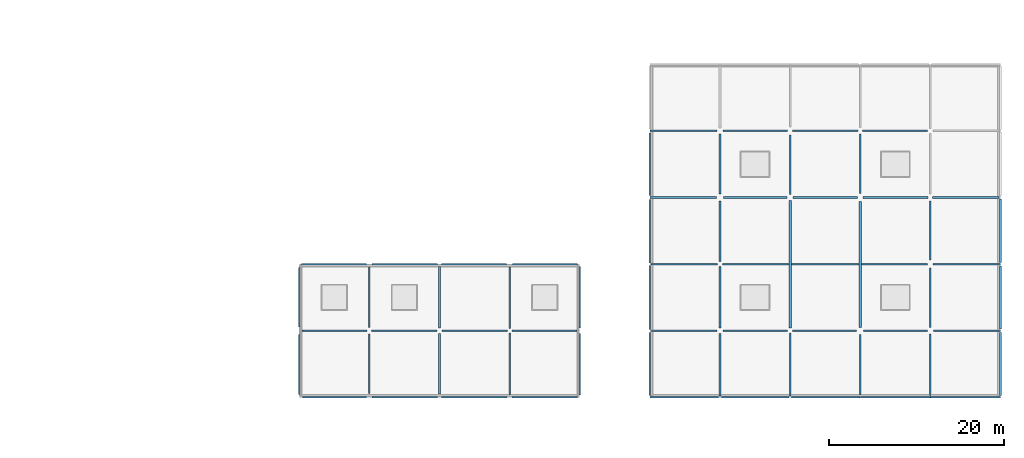
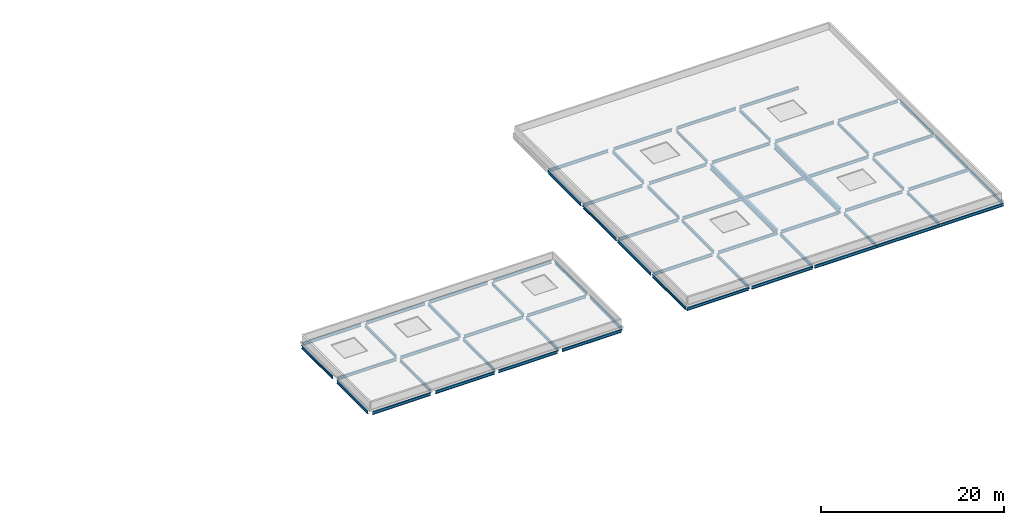
# One storey, part 13 of 46: 66 beams.
"""IFC4 building model written with IfcOpenShell, lengths in metres."""

from ifc_helpers import new_model, si_unit, direction, frame, origin, origin_2d, place, context, subcontext, project, spatial, i_section, extrude, material, material_profile, profile_set, type_object, element, save


model = new_model("IFC4")

# Units and contexts
model_context = context("Model", 3, precision=1e-05, world=origin(), true_north=direction((0.0, 1.0)))
body_context = subcontext(model_context, "Body", "Model", "MODEL_VIEW")
ifc_project = project(units=[si_unit("LENGTHUNIT", "METRE"), si_unit("AREAUNIT", "SQUARE_METRE"), si_unit("VOLUMEUNIT", "CUBIC_METRE"), si_unit("PLANEANGLEUNIT", "RADIAN"), si_unit("MASSUNIT", "GRAM", prefix="KILO")], contexts=[model_context])

# Site, building, storey
site_placement = place(None, origin())
site = spatial("IfcSite", under=ifc_project, at=site_placement, CompositionType="ELEMENT")
building_placement = place(site_placement, origin())
building = spatial("IfcBuilding", under=site, at=building_placement, Name="Khelvaren Railside Concert Hall", CompositionType="ELEMENT")
storey_placement = place(building_placement, frame((0.0, 0.0, 19.800048828125)))
storey = spatial("IfcBuildingStorey", under=building, at=storey_placement, Name="L04", CompositionType="ELEMENT", Elevation=19.800048828125)

# Beams
ifc_material = material(Name="Steel S355", Category="steel")
ifc_material_profile_1 = material_profile(ifc_material, i_section(OverallWidth=0.179931640625, OverallDepth=0.39990234375, WebThickness=0.008544921875, FlangeThickness=0.013427734375, FilletRadius=0.02099609375, at=origin_2d()), Name="IPE 400")
ifc_profile_set_1 = profile_set([ifc_material_profile_1], Name="Steel S355")
beam_type_1 = type_object("IfcBeamType", Name="BM29", PredefinedType="BEAM", material=ifc_profile_set_1)
beam_1_placement = place(storey_placement, frame((144.010009765625, 0.0, -0.469970703125), z_axis=(1.0, 0.0, 0.0), x_axis=(0.0, 1.0, 0.0)))
element("IfcBeam", 1, at=beam_1_placement, inside=storey, type_object=beam_type_1, Name="V2 Roof Beam X (144-152)", PredefinedType="BEAM", context=body_context, shape_type="SweptSolid", body=[
    extrude(i_section(OverallWidth=0.179931640625, OverallDepth=0.39990234375, WebThickness=0.008544921875, FlangeThickness=0.013427734375, FilletRadius=0.02099609375, at=origin_2d()), origin(), (0.0, 0.0, 1.0), 7.8193359375),
])
beam_2_placement = place(storey_placement, frame((152.170654296875, 0.0, -0.469970703125), z_axis=(1.0, 0.0, 0.0), x_axis=(0.0, 1.0, 0.0)))
element("IfcBeam", 2, at=beam_2_placement, inside=storey, type_object=beam_type_1, Name="V2 Roof Beam X (152-160)", PredefinedType="BEAM", context=body_context, shape_type="SweptSolid", body=[
    extrude(i_section(OverallWidth=0.179931640625, OverallDepth=0.39990234375, WebThickness=0.008544921875, FlangeThickness=0.013427734375, FilletRadius=0.02099609375, at=origin_2d()), origin(), (0.0, 0.0, 1.0), 7.693359375),
])
beam_3_placement = place(storey_placement, frame((160.135986328125, 0.0, -0.469970703125), z_axis=(1.0, 0.0, 0.0), x_axis=(0.0, 1.0, 0.0)))
element("IfcBeam", 3, at=beam_3_placement, inside=storey, type_object=beam_type_1, Name="V2 Roof Beam X (160-168)", PredefinedType="BEAM", context=body_context, shape_type="SweptSolid", body=[
    extrude(i_section(OverallWidth=0.179931640625, OverallDepth=0.39990234375, WebThickness=0.008544921875, FlangeThickness=0.013427734375, FilletRadius=0.02099609375, at=origin_2d()), origin(), (0.0, 0.0, 1.0), 7.85400390625),
])
for number, where, z_axis, x_axis, name in (
    (4, (168.010009765625, 0.0, -0.469970703125), (1.0, 0.0, 0.0), (0.0, 1.0, 0.0), "V2 Roof Beam X (168-176)"),
    (5, (176.010009765625, 0.0, -0.469970703125), (1.0, 0.0, 0.0), (0.0, 1.0, 0.0), "V2 Roof Beam X (176-184)"),
):
    element("IfcBeam", number, at=place(storey_placement, frame(where, z_axis=z_axis, x_axis=x_axis)), inside=storey, type_object=beam_type_1, Name=name, PredefinedType="BEAM", context=body_context, shape_type="SweptSolid", body=[
        extrude(i_section(OverallWidth=0.179931640625, OverallDepth=0.39990234375, WebThickness=0.008544921875, FlangeThickness=0.013427734375, FilletRadius=0.02099609375, at=origin_2d()), origin(), (0.0, 0.0, 1.0), 7.97998046875),
    ])
beam_4_placement = place(storey_placement, frame((144.170654296875, 7.60009765625, -0.469970703125), z_axis=(1.0, 0.0, 0.0), x_axis=(0.0, 1.0, 0.0)))
element("IfcBeam", 6, at=beam_4_placement, inside=storey, type_object=beam_type_1, Name="V2 Roof Beam X (144-152)", PredefinedType="BEAM", context=body_context, shape_type="SweptSolid", body=[
    extrude(i_section(OverallWidth=0.179931640625, OverallDepth=0.39990234375, WebThickness=0.008544921875, FlangeThickness=0.013427734375, FilletRadius=0.02099609375, at=origin_2d()), origin(), (0.0, 0.0, 1.0), 7.493408203125),
])
beam_5_placement = place(storey_placement, frame((152.3359375, 7.60009765625, -0.469970703125), z_axis=(1.0, 0.0, 0.0), x_axis=(0.0, 1.0, 0.0)))
element("IfcBeam", 7, at=beam_5_placement, inside=storey, type_object=beam_type_1, Name="V2 Roof Beam X (152-160)", PredefinedType="BEAM", context=body_context, shape_type="SweptSolid", body=[
    extrude(i_section(OverallWidth=0.179931640625, OverallDepth=0.39990234375, WebThickness=0.008544921875, FlangeThickness=0.013427734375, FilletRadius=0.02099609375, at=origin_2d()), origin(), (0.0, 0.0, 1.0), 7.39111328125),
])
beam_6_placement = place(storey_placement, frame((160.27294921875, 7.60009765625, -0.469970703125), z_axis=(1.0, 0.0, 0.0), x_axis=(0.0, 1.0, 0.0)))
element("IfcBeam", 8, at=beam_6_placement, inside=storey, type_object=beam_type_1, Name="V2 Roof Beam X (160-168)", PredefinedType="BEAM", context=body_context, shape_type="SweptSolid", body=[
    extrude(i_section(OverallWidth=0.179931640625, OverallDepth=0.39990234375, WebThickness=0.008544921875, FlangeThickness=0.013427734375, FilletRadius=0.02099609375, at=origin_2d()), origin(), (0.0, 0.0, 1.0), 7.3271484375),
])
beam_7_placement = place(storey_placement, frame((168.39990234375, 7.60009765625, -0.469970703125), z_axis=(1.0, 0.0, 0.0), x_axis=(0.0, 1.0, 0.0)))
element("IfcBeam", 9, at=beam_7_placement, inside=storey, type_object=beam_type_1, Name="V2 Roof Beam X (168-176)", PredefinedType="BEAM", context=body_context, shape_type="SweptSolid", body=[
    extrude(i_section(OverallWidth=0.179931640625, OverallDepth=0.39990234375, WebThickness=0.008544921875, FlangeThickness=0.013427734375, FilletRadius=0.02099609375, at=origin_2d()), origin(), (0.0, 0.0, 1.0), 7.25),
])
beam_8_placement = place(storey_placement, frame((176.35009765625, 7.60009765625, -0.469970703125), z_axis=(1.0, 0.0, 0.0), x_axis=(0.0, 1.0, 0.0)))
element("IfcBeam", 10, at=beam_8_placement, inside=storey, type_object=beam_type_1, Name="V2 Roof Beam X (176-184)", PredefinedType="BEAM", context=body_context, shape_type="SweptSolid", body=[
    extrude(i_section(OverallWidth=0.179931640625, OverallDepth=0.39990234375, WebThickness=0.008544921875, FlangeThickness=0.013427734375, FilletRadius=0.02099609375, at=origin_2d()), origin(), (0.0, 0.0, 1.0), 7.639892578125),
])
beam_9_placement = place(storey_placement, frame((144.135986328125, 15.199951171875, -0.469970703125), z_axis=(1.0, 0.0, 0.0), x_axis=(0.0, 1.0, 0.0)))
element("IfcBeam", 11, at=beam_9_placement, inside=storey, type_object=beam_type_1, Name="V2 Roof Beam X (144-152)", PredefinedType="BEAM", context=body_context, shape_type="SweptSolid", body=[
    extrude(i_section(OverallWidth=0.179931640625, OverallDepth=0.39990234375, WebThickness=0.008544921875, FlangeThickness=0.013427734375, FilletRadius=0.02099609375, at=origin_2d()), origin(), (0.0, 0.0, 1.0), 7.591064453125),
])
beam_10_placement = place(storey_placement, frame((152.27294921875, 15.199951171875, -0.469970703125), z_axis=(1.0, 0.0, 0.0), x_axis=(0.0, 1.0, 0.0)))
element("IfcBeam", 12, at=beam_10_placement, inside=storey, type_object=beam_type_1, Name="V2 Roof Beam X (152-160)", PredefinedType="BEAM", context=body_context, shape_type="SweptSolid", body=[
    extrude(i_section(OverallWidth=0.179931640625, OverallDepth=0.39990234375, WebThickness=0.008544921875, FlangeThickness=0.013427734375, FilletRadius=0.02099609375, at=origin_2d()), origin(), (0.0, 0.0, 1.0), 7.5771484375),
])
beam_11_placement = place(storey_placement, frame((160.14990234375, 15.199951171875, -0.469970703125), z_axis=(1.0, 0.0, 0.0), x_axis=(0.0, 1.0, 0.0)))
element("IfcBeam", 13, at=beam_11_placement, inside=storey, type_object=beam_type_1, Name="V2 Roof Beam X (160-168)", PredefinedType="BEAM", context=body_context, shape_type="SweptSolid", body=[
    extrude(i_section(OverallWidth=0.179931640625, OverallDepth=0.39990234375, WebThickness=0.008544921875, FlangeThickness=0.013427734375, FilletRadius=0.02099609375, at=origin_2d()), origin(), (0.0, 0.0, 1.0), 7.7001953125),
])
beam_12_placement = place(storey_placement, frame((168.14990234375, 15.199951171875, -0.469970703125), z_axis=(1.0, 0.0, 0.0), x_axis=(0.0, 1.0, 0.0)))
element("IfcBeam", 14, at=beam_12_placement, inside=storey, type_object=beam_type_1, Name="V2 Roof Beam X (168-176)", PredefinedType="BEAM", context=body_context, shape_type="SweptSolid", body=[
    extrude(i_section(OverallWidth=0.179931640625, OverallDepth=0.39990234375, WebThickness=0.008544921875, FlangeThickness=0.013427734375, FilletRadius=0.02099609375, at=origin_2d()), origin(), (0.0, 0.0, 1.0), 7.550048828125),
])
beam_13_placement = place(storey_placement, frame((176.300048828125, 15.199951171875, -0.469970703125), z_axis=(1.0, 0.0, 0.0), x_axis=(0.0, 1.0, 0.0)))
element("IfcBeam", 15, at=beam_13_placement, inside=storey, type_object=beam_type_1, Name="V2 Roof Beam X (176-184)", PredefinedType="BEAM", context=body_context, shape_type="SweptSolid", body=[
    extrude(i_section(OverallWidth=0.179931640625, OverallDepth=0.39990234375, WebThickness=0.008544921875, FlangeThickness=0.013427734375, FilletRadius=0.02099609375, at=origin_2d()), origin(), (0.0, 0.0, 1.0), 7.68994140625),
])
beam_14_placement = place(storey_placement, frame((144.010009765625, 22.800048828125, -0.469970703125), z_axis=(1.0, 0.0, 0.0), x_axis=(0.0, 1.0, 0.0)))
element("IfcBeam", 16, at=beam_14_placement, inside=storey, type_object=beam_type_1, Name="V2 Roof Beam X (144-152)", PredefinedType="BEAM", context=body_context, shape_type="SweptSolid", body=[
    extrude(i_section(OverallWidth=0.179931640625, OverallDepth=0.39990234375, WebThickness=0.008544921875, FlangeThickness=0.013427734375, FilletRadius=0.02099609375, at=origin_2d()), origin(), (0.0, 0.0, 1.0), 7.590087890625),
])
beam_15_placement = place(storey_placement, frame((152.39990234375, 22.800048828125, -0.469970703125), z_axis=(1.0, 0.0, 0.0), x_axis=(0.0, 1.0, 0.0)))
element("IfcBeam", 17, at=beam_15_placement, inside=storey, type_object=beam_type_1, Name="V2 Roof Beam X (152-160)", PredefinedType="BEAM", context=body_context, shape_type="SweptSolid", body=[
    extrude(i_section(OverallWidth=0.179931640625, OverallDepth=0.39990234375, WebThickness=0.008544921875, FlangeThickness=0.013427734375, FilletRadius=0.02099609375, at=origin_2d()), origin(), (0.0, 0.0, 1.0), 7.25),
])
beam_16_placement = place(storey_placement, frame((160.35009765625, 22.800048828125, -0.469970703125), z_axis=(1.0, 0.0, 0.0), x_axis=(0.0, 1.0, 0.0)))
element("IfcBeam", 18, at=beam_16_placement, inside=storey, type_object=beam_type_1, Name="V2 Roof Beam X (160-168)", PredefinedType="BEAM", context=body_context, shape_type="SweptSolid", body=[
    extrude(i_section(OverallWidth=0.179931640625, OverallDepth=0.39990234375, WebThickness=0.008544921875, FlangeThickness=0.013427734375, FilletRadius=0.02099609375, at=origin_2d()), origin(), (0.0, 0.0, 1.0), 7.349853515625),
])
beam_17_placement = place(storey_placement, frame((168.300048828125, 22.800048828125, -0.469970703125), z_axis=(1.0, 0.0, 0.0), x_axis=(0.0, 1.0, 0.0)))
element("IfcBeam", 19, at=beam_17_placement, inside=storey, type_object=beam_type_1, Name="V2 Roof Beam X (168-176)", PredefinedType="BEAM", context=body_context, shape_type="SweptSolid", body=[
    extrude(i_section(OverallWidth=0.179931640625, OverallDepth=0.39990234375, WebThickness=0.008544921875, FlangeThickness=0.013427734375, FilletRadius=0.02099609375, at=origin_2d()), origin(), (0.0, 0.0, 1.0), 7.449951171875),
])
beam_18_placement = place(storey_placement, frame((176.25, 22.800048828125, -0.469970703125), z_axis=(1.0, 0.0, 0.0), x_axis=(0.0, 1.0, 0.0)))
element("IfcBeam", 20, at=beam_18_placement, inside=storey, type_object=beam_type_1, Name="V2 Roof Beam X (176-184)", PredefinedType="BEAM", context=body_context, shape_type="SweptSolid", body=[
    extrude(i_section(OverallWidth=0.179931640625, OverallDepth=0.39990234375, WebThickness=0.008544921875, FlangeThickness=0.013427734375, FilletRadius=0.02099609375, at=origin_2d()), origin(), (0.0, 0.0, 1.0), 7.579345703125),
])
beam_19_placement = place(storey_placement, frame((144.010009765625, 30.39990234375, -0.469970703125), z_axis=(1.0, 0.0, 0.0), x_axis=(0.0, 1.0, 0.0)))
element("IfcBeam", 21, at=beam_19_placement, inside=storey, type_object=beam_type_1, Name="V2 Roof Beam X (144-152)", PredefinedType="BEAM", context=body_context, shape_type="SweptSolid", body=[
    extrude(i_section(OverallWidth=0.179931640625, OverallDepth=0.39990234375, WebThickness=0.008544921875, FlangeThickness=0.013427734375, FilletRadius=0.02099609375, at=origin_2d()), origin(), (0.0, 0.0, 1.0), 7.639892578125),
])
beam_20_placement = place(storey_placement, frame((152.35009765625, 30.39990234375, -0.469970703125), z_axis=(1.0, 0.0, 0.0), x_axis=(0.0, 1.0, 0.0)))
element("IfcBeam", 22, at=beam_20_placement, inside=storey, type_object=beam_type_1, Name="V2 Roof Beam X (152-160)", PredefinedType="BEAM", context=body_context, shape_type="SweptSolid", body=[
    extrude(i_section(OverallWidth=0.179931640625, OverallDepth=0.39990234375, WebThickness=0.008544921875, FlangeThickness=0.013427734375, FilletRadius=0.02099609375, at=origin_2d()), origin(), (0.0, 0.0, 1.0), 7.349853515625),
])
for number, where, z_axis, x_axis, name in (
    (23, (160.300048828125, 30.39990234375, -0.469970703125), (1.0, 0.0, 0.0), (0.0, 1.0, 0.0), "V2 Roof Beam X (160-168)"),
    (24, (168.25, 30.39990234375, -0.469970703125), (1.0, 0.0, 0.0), (0.0, 1.0, 0.0), "V2 Roof Beam X (168-176)"),
):
    element("IfcBeam", number, at=place(storey_placement, frame(where, z_axis=z_axis, x_axis=x_axis)), inside=storey, type_object=beam_type_1, Name=name, PredefinedType="BEAM", context=body_context, shape_type="SweptSolid", body=[
        extrude(i_section(OverallWidth=0.179931640625, OverallDepth=0.39990234375, WebThickness=0.008544921875, FlangeThickness=0.013427734375, FilletRadius=0.02099609375, at=origin_2d()), origin(), (0.0, 0.0, 1.0), 7.449951171875),
    ])
beam_21_placement = place(storey_placement, frame((144.0, 0.195068359375, -0.469970703125), z_axis=(0.0, 1.0, 0.0), x_axis=(-1.0, 0.0, 0.0)))
element("IfcBeam", 25, at=beam_21_placement, inside=storey, type_object=beam_type_1, Name="V2 Roof Beam Y (0.0-7.6)", PredefinedType="BEAM", context=body_context, shape_type="SweptSolid", body=[
    extrude(i_section(OverallWidth=0.179931640625, OverallDepth=0.39990234375, WebThickness=0.008544921875, FlangeThickness=0.013427734375, FilletRadius=0.02099609375, at=origin_2d()), origin(), (0.0, 0.0, 1.0), 7.234130859375),
])
beam_22_placement = place(storey_placement, frame((144.0, 7.770751953125, -0.469970703125), z_axis=(0.0, 1.0, 0.0), x_axis=(-1.0, 0.0, 0.0)))
element("IfcBeam", 26, at=beam_22_placement, inside=storey, type_object=beam_type_1, Name="V2 Roof Beam Y (7.6-15.2)", PredefinedType="BEAM", context=body_context, shape_type="SweptSolid", body=[
    extrude(i_section(OverallWidth=0.179931640625, OverallDepth=0.39990234375, WebThickness=0.008544921875, FlangeThickness=0.013427734375, FilletRadius=0.02099609375, at=origin_2d()), origin(), (0.0, 0.0, 1.0), 7.293212890625),
])
beam_23_placement = place(storey_placement, frame((144.0, 15.3359375, -0.469970703125), z_axis=(0.0, 1.0, 0.0), x_axis=(-1.0, 0.0, 0.0)))
element("IfcBeam", 27, at=beam_23_placement, inside=storey, type_object=beam_type_1, Name="V2 Roof Beam Y (15.2-22.8)", PredefinedType="BEAM", context=body_context, shape_type="SweptSolid", body=[
    extrude(i_section(OverallWidth=0.179931640625, OverallDepth=0.39990234375, WebThickness=0.008544921875, FlangeThickness=0.013427734375, FilletRadius=0.02099609375, at=origin_2d()), origin(), (0.0, 0.0, 1.0), 7.214111328125),
])
beam_24_placement = place(storey_placement, frame((144.0, 23.050048828125, -0.469970703125), z_axis=(0.0, 1.0, 0.0), x_axis=(-1.0, 0.0, 0.0)))
element("IfcBeam", 28, at=beam_24_placement, inside=storey, type_object=beam_type_1, Name="V2 Roof Beam Y (22.8-30.4)", PredefinedType="BEAM", context=body_context, shape_type="SweptSolid", body=[
    extrude(i_section(OverallWidth=0.179931640625, OverallDepth=0.39990234375, WebThickness=0.008544921875, FlangeThickness=0.013427734375, FilletRadius=0.02099609375, at=origin_2d()), origin(), (0.0, 0.0, 1.0), 7.125),
])
beam_25_placement = place(storey_placement, frame((152.0, 0.170654296875, -0.469970703125), z_axis=(0.0, 1.0, 0.0), x_axis=(-1.0, 0.0, 0.0)))
element("IfcBeam", 29, at=beam_25_placement, inside=storey, type_object=beam_type_1, Name="V2 Roof Beam Y (0.0-7.6)", PredefinedType="BEAM", context=body_context, shape_type="SweptSolid", body=[
    extrude(i_section(OverallWidth=0.179931640625, OverallDepth=0.39990234375, WebThickness=0.008544921875, FlangeThickness=0.013427734375, FilletRadius=0.02099609375, at=origin_2d()), origin(), (0.0, 0.0, 1.0), 7.09326171875),
])
beam_26_placement = place(storey_placement, frame((152.0, 7.93603515625, -0.469970703125), z_axis=(0.0, 1.0, 0.0), x_axis=(-1.0, 0.0, 0.0)))
element("IfcBeam", 30, at=beam_26_placement, inside=storey, type_object=beam_type_1, Name="V2 Roof Beam Y (7.6-15.2)", PredefinedType="BEAM", context=body_context, shape_type="SweptSolid", body=[
    extrude(i_section(OverallWidth=0.179931640625, OverallDepth=0.39990234375, WebThickness=0.008544921875, FlangeThickness=0.013427734375, FilletRadius=0.02099609375, at=origin_2d()), origin(), (0.0, 0.0, 1.0), 6.990966796875),
])
beam_27_placement = place(storey_placement, frame((152.0, 15.472900390625, -0.469970703125), z_axis=(0.0, 1.0, 0.0), x_axis=(-1.0, 0.0, 0.0)))
element("IfcBeam", 31, at=beam_27_placement, inside=storey, type_object=beam_type_1, Name="V2 Roof Beam Y (15.2-22.8)", PredefinedType="BEAM", context=body_context, shape_type="SweptSolid", body=[
    extrude(i_section(OverallWidth=0.179931640625, OverallDepth=0.39990234375, WebThickness=0.008544921875, FlangeThickness=0.013427734375, FilletRadius=0.02099609375, at=origin_2d()), origin(), (0.0, 0.0, 1.0), 6.927001953125),
])
beam_28_placement = place(storey_placement, frame((152.0, 23.199951171875, -0.469970703125), z_axis=(0.0, 1.0, 0.0), x_axis=(-1.0, 0.0, 0.0)))
element("IfcBeam", 32, at=beam_28_placement, inside=storey, type_object=beam_type_1, Name="V2 Roof Beam Y (22.8-30.4)", PredefinedType="BEAM", context=body_context, shape_type="SweptSolid", body=[
    extrude(i_section(OverallWidth=0.179931640625, OverallDepth=0.39990234375, WebThickness=0.008544921875, FlangeThickness=0.013427734375, FilletRadius=0.02099609375, at=origin_2d()), origin(), (0.0, 0.0, 1.0), 6.85009765625),
])
beam_29_placement = place(storey_placement, frame((160.0, 0.135986328125, -0.469970703125), z_axis=(0.0, 1.0, 0.0), x_axis=(-1.0, 0.0, 0.0)))
element("IfcBeam", 33, at=beam_29_placement, inside=storey, type_object=beam_type_1, Name="V2 Roof Beam Y (0.0-7.6)", PredefinedType="BEAM", context=body_context, shape_type="SweptSolid", body=[
    extrude(i_section(OverallWidth=0.179931640625, OverallDepth=0.39990234375, WebThickness=0.008544921875, FlangeThickness=0.013427734375, FilletRadius=0.02099609375, at=origin_2d()), origin(), (0.0, 0.0, 1.0), 7.19091796875),
])
beam_30_placement = place(storey_placement, frame((160.0, 23.14990234375, -0.469970703125), z_axis=(0.0, 1.0, 0.0), x_axis=(-1.0, 0.0, 0.0)))
element("IfcBeam", 34, at=beam_30_placement, inside=storey, type_object=beam_type_1, Name="V2 Roof Beam Y (22.8-30.4)", PredefinedType="BEAM", context=body_context, shape_type="SweptSolid", body=[
    extrude(i_section(OverallWidth=0.179931640625, OverallDepth=0.39990234375, WebThickness=0.008544921875, FlangeThickness=0.013427734375, FilletRadius=0.02099609375, at=origin_2d()), origin(), (0.0, 0.0, 1.0), 6.800048828125),
])
beam_31_placement = place(storey_placement, frame((168.0, 0.25, -0.469970703125), z_axis=(0.0, 1.0, 0.0), x_axis=(-1.0, 0.0, 0.0)))
element("IfcBeam", 35, at=beam_31_placement, inside=storey, type_object=beam_type_1, Name="V2 Roof Beam Y (0.0-7.6)", PredefinedType="BEAM", context=body_context, shape_type="SweptSolid", body=[
    extrude(i_section(OverallWidth=0.179931640625, OverallDepth=0.39990234375, WebThickness=0.008544921875, FlangeThickness=0.013427734375, FilletRadius=0.02099609375, at=origin_2d()), origin(), (0.0, 0.0, 1.0), 6.949951171875),
])
beam_32_placement = place(storey_placement, frame((168.0, 23.25, -0.469970703125), z_axis=(0.0, 1.0, 0.0), x_axis=(-1.0, 0.0, 0.0)))
element("IfcBeam", 36, at=beam_32_placement, inside=storey, type_object=beam_type_1, Name="V2 Roof Beam Y (22.8-30.4)", PredefinedType="BEAM", context=body_context, shape_type="SweptSolid", body=[
    extrude(i_section(OverallWidth=0.179931640625, OverallDepth=0.39990234375, WebThickness=0.008544921875, FlangeThickness=0.013427734375, FilletRadius=0.02099609375, at=origin_2d()), origin(), (0.0, 0.0, 1.0), 6.77490234375),
])
beam_33_placement = place(storey_placement, frame((176.0, 0.22509765625, -0.469970703125), z_axis=(0.0, 1.0, 0.0), x_axis=(-1.0, 0.0, 0.0)))
element("IfcBeam", 37, at=beam_33_placement, inside=storey, type_object=beam_type_1, Name="V2 Roof Beam Y (0.0-7.6)", PredefinedType="BEAM", context=body_context, shape_type="SweptSolid", body=[
    extrude(i_section(OverallWidth=0.179931640625, OverallDepth=0.39990234375, WebThickness=0.008544921875, FlangeThickness=0.013427734375, FilletRadius=0.02099609375, at=origin_2d()), origin(), (0.0, 0.0, 1.0), 7.02490234375),
])
beam_34_placement = place(storey_placement, frame((176.0, 7.949951171875, -0.469970703125), z_axis=(0.0, 1.0, 0.0), x_axis=(-1.0, 0.0, 0.0)))
element("IfcBeam", 38, at=beam_34_placement, inside=storey, type_object=beam_type_1, Name="V2 Roof Beam Y (7.6-15.2)", PredefinedType="BEAM", context=body_context, shape_type="SweptSolid", body=[
    extrude(i_section(OverallWidth=0.179931640625, OverallDepth=0.39990234375, WebThickness=0.008544921875, FlangeThickness=0.013427734375, FilletRadius=0.02099609375, at=origin_2d()), origin(), (0.0, 0.0, 1.0), 6.800048828125),
])
beam_35_placement = place(storey_placement, frame((176.0, 15.64990234375, -0.469970703125), z_axis=(0.0, 1.0, 0.0), x_axis=(-1.0, 0.0, 0.0)))
element("IfcBeam", 39, at=beam_35_placement, inside=storey, type_object=beam_type_1, Name="V2 Roof Beam Y (15.2-22.8)", PredefinedType="BEAM", context=body_context, shape_type="SweptSolid", body=[
    extrude(i_section(OverallWidth=0.179931640625, OverallDepth=0.39990234375, WebThickness=0.008544921875, FlangeThickness=0.013427734375, FilletRadius=0.02099609375, at=origin_2d()), origin(), (0.0, 0.0, 1.0), 6.775146484375),
])
beam_36_placement = place(storey_placement, frame((184.0, 0.199951171875, -0.469970703125), z_axis=(0.0, 1.0, 0.0), x_axis=(-1.0, 0.0, 0.0)))
element("IfcBeam", 40, at=beam_36_placement, inside=storey, type_object=beam_type_1, Name="V2 Roof Beam Y (0.0-7.6)", PredefinedType="BEAM", context=body_context, shape_type="SweptSolid", body=[
    extrude(i_section(OverallWidth=0.179931640625, OverallDepth=0.39990234375, WebThickness=0.008544921875, FlangeThickness=0.013427734375, FilletRadius=0.02099609375, at=origin_2d()), origin(), (0.0, 0.0, 1.0), 7.219970703125),
])
beam_37_placement = place(storey_placement, frame((184.0, 7.780029296875, -0.469970703125), z_axis=(0.0, 1.0, 0.0), x_axis=(-1.0, 0.0, 0.0)))
element("IfcBeam", 41, at=beam_37_placement, inside=storey, type_object=beam_type_1, Name="V2 Roof Beam Y (7.6-15.2)", PredefinedType="BEAM", context=body_context, shape_type="SweptSolid", body=[
    extrude(i_section(OverallWidth=0.179931640625, OverallDepth=0.39990234375, WebThickness=0.008544921875, FlangeThickness=0.013427734375, FilletRadius=0.02099609375, at=origin_2d()), origin(), (0.0, 0.0, 1.0), 7.224853515625),
])
beam_38_placement = place(storey_placement, frame((184.0, 15.39501953125, -0.469970703125), z_axis=(0.0, 1.0, 0.0), x_axis=(-1.0, 0.0, 0.0)))
element("IfcBeam", 42, at=beam_38_placement, inside=storey, type_object=beam_type_1, Name="V2 Roof Beam Y (15.2-22.8)", PredefinedType="BEAM", context=body_context, shape_type="SweptSolid", body=[
    extrude(i_section(OverallWidth=0.179931640625, OverallDepth=0.39990234375, WebThickness=0.008544921875, FlangeThickness=0.013427734375, FilletRadius=0.02099609375, at=origin_2d()), origin(), (0.0, 0.0, 1.0), 7.234375),
])
beam_39_placement = place(storey_placement, frame((104.35009765625, 0.0, -0.449951171875), z_axis=(1.0, 0.0, 0.0), x_axis=(0.0, 1.0, 0.0)))
element("IfcBeam", 43, at=beam_39_placement, inside=storey, type_object=beam_type_1, Name="V3-E Roof Beam X (104-112)", PredefinedType="BEAM", context=body_context, shape_type="SweptSolid", body=[
    extrude(i_section(OverallWidth=0.179931640625, OverallDepth=0.39990234375, WebThickness=0.008544921875, FlangeThickness=0.013427734375, FilletRadius=0.02099609375, at=origin_2d()), origin(), (0.0, 0.0, 1.0), 7.349853515625),
])
for number, where, z_axis, x_axis, name in (
    (44, (112.300048828125, 0.0, -0.449951171875), (1.0, 0.0, 0.0), (0.0, 1.0, 0.0), "V3-E Roof Beam X (112-120)"),
    (45, (120.25, 0.0, -0.449951171875), (1.0, 0.0, 0.0), (0.0, 1.0, 0.0), "V3-E Roof Beam X (120-128)"),
    (46, (128.300048828125, 0.0, -0.449951171875), (1.0, 0.0, 0.0), (0.0, 1.0, 0.0), "V3-E Roof Beam X (128-136)"),
    (47, (104.300048828125, 7.60009765625, -0.449951171875), (1.0, 0.0, 0.0), (0.0, 1.0, 0.0), "V3-E Roof Beam X (104-112)"),
    (48, (112.25, 7.60009765625, -0.449951171875), (1.0, 0.0, 0.0), (0.0, 1.0, 0.0), "V3-E Roof Beam X (112-120)"),
    (49, (120.300048828125, 7.60009765625, -0.449951171875), (1.0, 0.0, 0.0), (0.0, 1.0, 0.0), "V3-E Roof Beam X (120-128)"),
):
    element("IfcBeam", number, at=place(storey_placement, frame(where, z_axis=z_axis, x_axis=x_axis)), inside=storey, type_object=beam_type_1, Name=name, PredefinedType="BEAM", context=body_context, shape_type="SweptSolid", body=[
        extrude(i_section(OverallWidth=0.179931640625, OverallDepth=0.39990234375, WebThickness=0.008544921875, FlangeThickness=0.013427734375, FilletRadius=0.02099609375, at=origin_2d()), origin(), (0.0, 0.0, 1.0), 7.449951171875),
    ])
beam_40_placement = place(storey_placement, frame((128.25, 7.60009765625, -0.449951171875), z_axis=(1.0, 0.0, 0.0), x_axis=(0.0, 1.0, 0.0)))
element("IfcBeam", 50, at=beam_40_placement, inside=storey, type_object=beam_type_1, Name="V3-E Roof Beam X (128-136)", PredefinedType="BEAM", context=body_context, shape_type="SweptSolid", body=[
    extrude(i_section(OverallWidth=0.179931640625, OverallDepth=0.39990234375, WebThickness=0.008544921875, FlangeThickness=0.013427734375, FilletRadius=0.02099609375, at=origin_2d()), origin(), (0.0, 0.0, 1.0), 7.4140625),
])
for number, where, z_axis, x_axis, name in (
    (51, (104.25, 15.199951171875, -0.449951171875), (1.0, 0.0, 0.0), (0.0, 1.0, 0.0), "V3-E Roof Beam X (104-112)"),
    (52, (112.300048828125, 15.199951171875, -0.449951171875), (1.0, 0.0, 0.0), (0.0, 1.0, 0.0), "V3-E Roof Beam X (112-120)"),
):
    element("IfcBeam", number, at=place(storey_placement, frame(where, z_axis=z_axis, x_axis=x_axis)), inside=storey, type_object=beam_type_1, Name=name, PredefinedType="BEAM", context=body_context, shape_type="SweptSolid", body=[
        extrude(i_section(OverallWidth=0.179931640625, OverallDepth=0.39990234375, WebThickness=0.008544921875, FlangeThickness=0.013427734375, FilletRadius=0.02099609375, at=origin_2d()), origin(), (0.0, 0.0, 1.0), 7.449951171875),
    ])
beam_41_placement = place(storey_placement, frame((120.25, 15.199951171875, -0.449951171875), z_axis=(1.0, 0.0, 0.0), x_axis=(0.0, 1.0, 0.0)))
element("IfcBeam", 53, at=beam_41_placement, inside=storey, type_object=beam_type_1, Name="V3-E Roof Beam X (120-128)", PredefinedType="BEAM", context=body_context, shape_type="SweptSolid", body=[
    extrude(i_section(OverallWidth=0.179931640625, OverallDepth=0.39990234375, WebThickness=0.008544921875, FlangeThickness=0.013427734375, FilletRadius=0.02099609375, at=origin_2d()), origin(), (0.0, 0.0, 1.0), 7.4140625),
])
beam_42_placement = place(storey_placement, frame((128.3359375, 15.199951171875, -0.449951171875), z_axis=(1.0, 0.0, 0.0), x_axis=(0.0, 1.0, 0.0)))
element("IfcBeam", 54, at=beam_42_placement, inside=storey, type_object=beam_type_1, Name="V3-E Roof Beam X (128-136)", PredefinedType="BEAM", context=body_context, shape_type="SweptSolid", body=[
    extrude(i_section(OverallWidth=0.179931640625, OverallDepth=0.39990234375, WebThickness=0.008544921875, FlangeThickness=0.013427734375, FilletRadius=0.02099609375, at=origin_2d()), origin(), (0.0, 0.0, 1.0), 7.39111328125),
])
beam_43_placement = place(storey_placement, frame((104.0, 0.35009765625, -0.449951171875), z_axis=(0.0, 1.0, 0.0), x_axis=(-1.0, 0.0, 0.0)))
element("IfcBeam", 55, at=beam_43_placement, inside=storey, type_object=beam_type_1, Name="V3-E Roof Beam Y (0.0-7.6)", PredefinedType="BEAM", context=body_context, shape_type="SweptSolid", body=[
    extrude(i_section(OverallWidth=0.179931640625, OverallDepth=0.39990234375, WebThickness=0.008544921875, FlangeThickness=0.013427734375, FilletRadius=0.02099609375, at=origin_2d()), origin(), (0.0, 0.0, 1.0), 6.7998046875),
])
beam_44_placement = place(storey_placement, frame((104.0, 8.050048828125, -0.449951171875), z_axis=(0.0, 1.0, 0.0), x_axis=(-1.0, 0.0, 0.0)))
element("IfcBeam", 56, at=beam_44_placement, inside=storey, type_object=beam_type_1, Name="V3-E Roof Beam Y (7.6-15.2)", PredefinedType="BEAM", context=body_context, shape_type="SweptSolid", body=[
    extrude(i_section(OverallWidth=0.179931640625, OverallDepth=0.39990234375, WebThickness=0.008544921875, FlangeThickness=0.013427734375, FilletRadius=0.02099609375, at=origin_2d()), origin(), (0.0, 0.0, 1.0), 6.77490234375),
])
beam_45_placement = place(storey_placement, frame((112.0, 0.449951171875, -0.449951171875), z_axis=(0.0, 1.0, 0.0), x_axis=(-1.0, 0.0, 0.0)))
element("IfcBeam", 57, at=beam_45_placement, inside=storey, type_object=beam_type_1, Name="V3-E Roof Beam Y (0.0-7.6)", PredefinedType="BEAM", context=body_context, shape_type="SweptSolid", body=[
    extrude(i_section(OverallWidth=0.179931640625, OverallDepth=0.39990234375, WebThickness=0.008544921875, FlangeThickness=0.013427734375, FilletRadius=0.02099609375, at=origin_2d()), origin(), (0.0, 0.0, 1.0), 6.775146484375),
])
beam_46_placement = place(storey_placement, frame((112.0, 7.97509765625, -0.449951171875), z_axis=(0.0, 1.0, 0.0), x_axis=(-1.0, 0.0, 0.0)))
element("IfcBeam", 58, at=beam_46_placement, inside=storey, type_object=beam_type_1, Name="V3-E Roof Beam Y (7.6-15.2)", PredefinedType="BEAM", context=body_context, shape_type="SweptSolid", body=[
    extrude(i_section(OverallWidth=0.179931640625, OverallDepth=0.39990234375, WebThickness=0.008544921875, FlangeThickness=0.013427734375, FilletRadius=0.02099609375, at=origin_2d()), origin(), (0.0, 0.0, 1.0), 6.9248046875),
])
beam_47_placement = place(storey_placement, frame((120.0, 0.375, -0.449951171875), z_axis=(0.0, 1.0, 0.0), x_axis=(-1.0, 0.0, 0.0)))
element("IfcBeam", 59, at=beam_47_placement, inside=storey, type_object=beam_type_1, Name="V3-E Roof Beam Y (0.0-7.6)", PredefinedType="BEAM", context=body_context, shape_type="SweptSolid", body=[
    extrude(i_section(OverallWidth=0.179931640625, OverallDepth=0.39990234375, WebThickness=0.008544921875, FlangeThickness=0.013427734375, FilletRadius=0.02099609375, at=origin_2d()), origin(), (0.0, 0.0, 1.0), 6.925048828125),
])
for number, where, z_axis, x_axis, name in (
    (60, (120.0, 7.89990234375, -0.449951171875), (0.0, 1.0, 0.0), (-1.0, 0.0, 0.0), "V3-E Roof Beam Y (7.6-15.2)"),
    (61, (128.0, 0.300048828125, -0.449951171875), (0.0, 1.0, 0.0), (-1.0, 0.0, 0.0), "V3-E Roof Beam Y (0.0-7.6)"),
):
    element("IfcBeam", number, at=place(storey_placement, frame(where, z_axis=z_axis, x_axis=x_axis)), inside=storey, type_object=beam_type_1, Name=name, PredefinedType="BEAM", context=body_context, shape_type="SweptSolid", body=[
        extrude(i_section(OverallWidth=0.179931640625, OverallDepth=0.39990234375, WebThickness=0.008544921875, FlangeThickness=0.013427734375, FilletRadius=0.02099609375, at=origin_2d()), origin(), (0.0, 0.0, 1.0), 7.050048828125),
    ])
for number, where, z_axis, x_axis, name in (
    (62, (128.0, 7.85009765625, -0.449951171875), (0.0, 1.0, 0.0), (-1.0, 0.0, 0.0), "V3-E Roof Beam Y (7.6-15.2)"),
    (63, (136.0, 0.25, -0.449951171875), (0.0, 1.0, 0.0), (-1.0, 0.0, 0.0), "V3-E Roof Beam Y (0.0-7.6)"),
):
    element("IfcBeam", number, at=place(storey_placement, frame(where, z_axis=z_axis, x_axis=x_axis)), inside=storey, type_object=beam_type_1, Name=name, PredefinedType="BEAM", context=body_context, shape_type="SweptSolid", body=[
        extrude(i_section(OverallWidth=0.179931640625, OverallDepth=0.39990234375, WebThickness=0.008544921875, FlangeThickness=0.013427734375, FilletRadius=0.02099609375, at=origin_2d()), origin(), (0.0, 0.0, 1.0), 7.013916015625),
    ])
beam_48_placement = place(storey_placement, frame((136.0, 7.93603515625, -0.449951171875), z_axis=(0.0, 1.0, 0.0), x_axis=(-1.0, 0.0, 0.0)))
element("IfcBeam", 64, at=beam_48_placement, inside=storey, type_object=beam_type_1, Name="V3-E Roof Beam Y (7.6-15.2)", PredefinedType="BEAM", context=body_context, shape_type="SweptSolid", body=[
    extrude(i_section(OverallWidth=0.179931640625, OverallDepth=0.39990234375, WebThickness=0.008544921875, FlangeThickness=0.013427734375, FilletRadius=0.02099609375, at=origin_2d()), origin(), (0.0, 0.0, 1.0), 6.990966796875),
])
ifc_material_profile_2 = material_profile(ifc_material, i_section(OverallWidth=0.300048828125, OverallDepth=0.699951171875, WebThickness=0.01708984375, FlangeThickness=0.031982421875, FilletRadius=0.027099609375, at=origin_2d()), Name="HEB 700")
ifc_profile_set_2 = profile_set([ifc_material_profile_2], Name="Steel S355")
beam_type_2 = type_object("IfcBeamType", Name="GR85", PredefinedType="T_BEAM", material=ifc_profile_set_2)
beam_49_placement = place(storey_placement, frame((160.0, 7.925048828125, -0.6201171875), z_axis=(0.0, 1.0, 0.0), x_axis=(-1.0, 0.0, 0.0)))
element("IfcBeam", 65, at=beam_49_placement, inside=storey, type_object=beam_type_2, Name="V2 Orchestral Rehearsal Clear-Span Girder X=160", PredefinedType="T_BEAM", context=body_context, shape_type="SweptSolid", body=[
    extrude(i_section(OverallWidth=0.300048828125, OverallDepth=0.699951171875, WebThickness=0.01708984375, FlangeThickness=0.031982421875, FilletRadius=0.027099609375, at=origin_2d()), origin(), (0.0, 0.0, 1.0), 14.52490234375),
])
beam_50_placement = place(storey_placement, frame((168.0, 8.0, -0.6201171875), z_axis=(0.0, 1.0, 0.0), x_axis=(-1.0, 0.0, 0.0)))
element("IfcBeam", 66, at=beam_50_placement, inside=storey, type_object=beam_type_2, Name="V2 Orchestral Rehearsal Clear-Span Girder X=168", PredefinedType="T_BEAM", context=body_context, shape_type="SweptSolid", body=[
    extrude(i_section(OverallWidth=0.300048828125, OverallDepth=0.699951171875, WebThickness=0.01708984375, FlangeThickness=0.031982421875, FilletRadius=0.027099609375, at=origin_2d()), origin(), (0.0, 0.0, 1.0), 14.35009765625),
])

save(model, "model.ifc")
